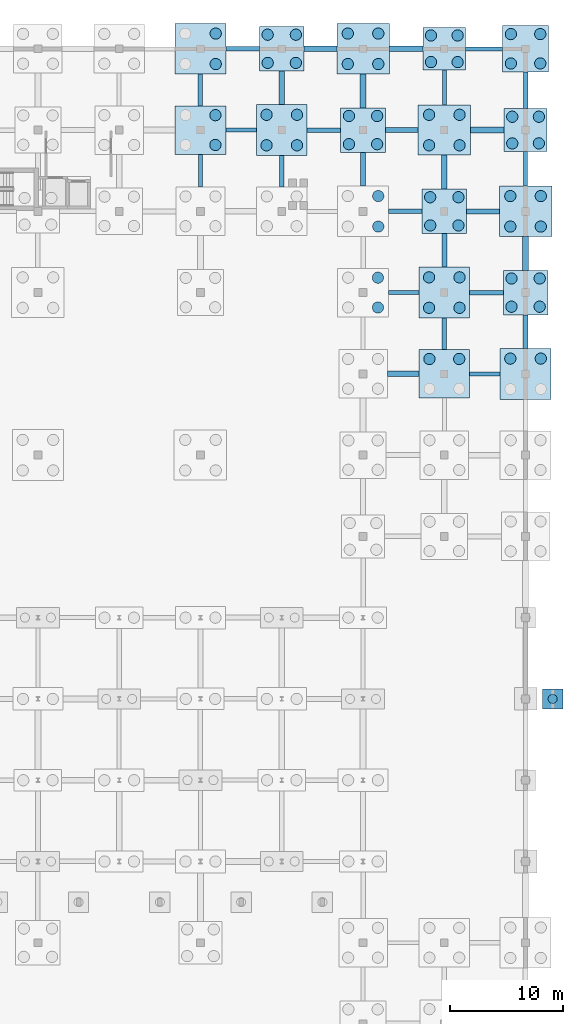
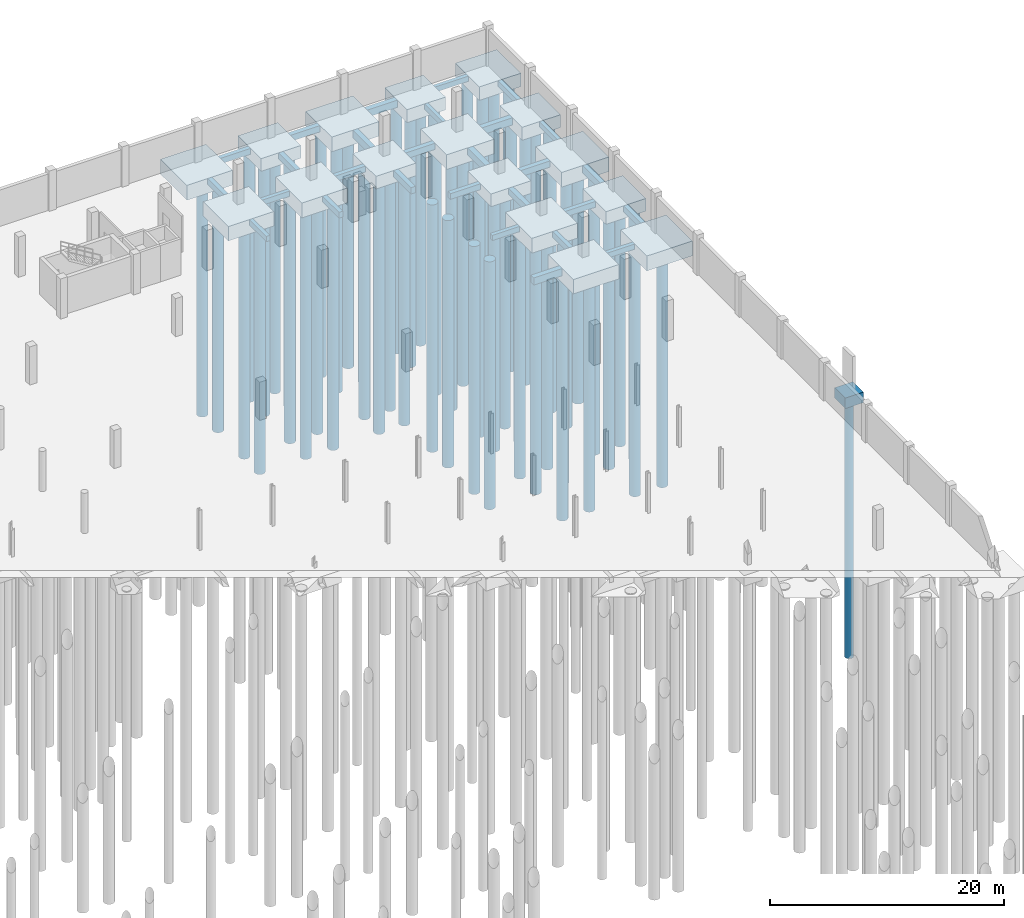
# One storey, part 18 of 56: 61 piles, 45 footings.
"""IFC4 building model written with IfcOpenShell, lengths in metres."""

from ifc_helpers import new_model, si_unit, direction, frame, origin, origin_2d, place, context, subcontext, project, spatial, rectangle, circle, extrude, material, material_profile, profile_set, type_object, element, save


model = new_model("IFC4")

# Units and contexts
model_context = context("Model", 3, precision=1e-05, world=origin(), true_north=direction((0.0, 1.0)))
body_context = subcontext(model_context, "Body", "Model", "MODEL_VIEW")
ifc_project = project(units=[si_unit("LENGTHUNIT", "METRE"), si_unit("AREAUNIT", "SQUARE_METRE"), si_unit("VOLUMEUNIT", "CUBIC_METRE"), si_unit("PLANEANGLEUNIT", "RADIAN"), si_unit("MASSUNIT", "GRAM", prefix="KILO")], contexts=[model_context])

# Site, building, storey
site_placement = place(None, origin())
site = spatial("IfcSite", under=ifc_project, at=site_placement, CompositionType="ELEMENT")
building_placement = place(site_placement, origin())
building = spatial("IfcBuilding", under=site, at=building_placement, Name="Suanplinth Sawtooth Commons", CompositionType="ELEMENT")
storey_placement = place(building_placement, frame((0.0, 0.0, -4.199951171875)))
storey = spatial("IfcBuildingStorey", under=building, at=storey_placement, Name="B1", CompositionType="ELEMENT", Elevation=-4.199951171875)

# Footings
ifc_material_1 = material(Name="Concrete C35/45", Category="concrete")
ifc_material_profile_1 = material_profile(ifc_material_1, rectangle(XDim=0.449951171875, YDim=0.64990234375, at=origin_2d()), Name="PC-GDR 450x650")
ifc_profile_set_1 = profile_set([ifc_material_profile_1], Name="Concrete C35/45")
footing_type_1 = type_object("IfcFootingType", Name="FB-01", PredefinedType="FOOTING_BEAM", material=ifc_profile_set_1)
footing_1_placement = place(storey_placement, frame((165.60009765625, 117.449951171875, -0.824951171875), z_axis=(0.0, 1.0, 0.0), x_axis=(-1.0, 0.0, 0.0)))
element("IfcFooting", 1, at=footing_1_placement, inside=storey, type_object=footing_type_1, Name="Foundation Tie Beam 24/S-T", PredefinedType="FOOTING_BEAM", context=body_context, shape_type="SweptSolid", body=[
    extrude(rectangle(XDim=0.449951171875, YDim=0.64990234375, at=origin_2d()), origin(), (0.0, 0.0, 1.0), 2.97509765625),
])
footing_2_placement = place(storey_placement, frame((167.574951171875, 122.39990234375, -0.824951171875), z_axis=(1.0, 0.0, 0.0), x_axis=(0.0, 1.0, 0.0)))
element("IfcFooting", 2, at=footing_2_placement, inside=storey, type_object=footing_type_1, Name="Foundation Tie Beam 24-25/T", PredefinedType="FOOTING_BEAM", context=body_context, shape_type="SweptSolid", body=[
    extrude(rectangle(XDim=0.449951171875, YDim=0.64990234375, at=origin_2d()), origin(), (0.0, 0.0, 1.0), 2.900146484375),
])
footing_3_placement = place(storey_placement, frame((172.800048828125, 110.25, -0.824951171875), z_axis=(0.0, 1.0, 0.0), x_axis=(-1.0, 0.0, 0.0)))
element("IfcFooting", 3, at=footing_3_placement, inside=storey, type_object=footing_type_1, Name="Foundation Tie Beam 25/R-S", PredefinedType="FOOTING_BEAM", context=body_context, shape_type="SweptSolid", body=[
    extrude(rectangle(XDim=0.449951171875, YDim=0.64990234375, at=origin_2d()), origin(), (0.0, 0.0, 1.0), 2.97509765625),
])
footing_4_placement = place(storey_placement, frame((174.77490234375, 115.199951171875, -0.824951171875), z_axis=(1.0, 0.0, 0.0), x_axis=(0.0, 1.0, 0.0)))
element("IfcFooting", 4, at=footing_4_placement, inside=storey, type_object=footing_type_1, Name="Foundation Tie Beam 25-26/S", PredefinedType="FOOTING_BEAM", context=body_context, shape_type="SweptSolid", body=[
    extrude(rectangle(XDim=0.449951171875, YDim=0.64990234375, at=origin_2d()), origin(), (0.0, 0.0, 1.0), 2.900146484375),
])
footing_5_placement = place(storey_placement, frame((180.0, 103.050048828125, -0.824951171875), z_axis=(0.0, 1.0, 0.0), x_axis=(-1.0, 0.0, 0.0)))
element("IfcFooting", 5, at=footing_5_placement, inside=storey, type_object=footing_type_1, Name="Foundation Tie Beam 26/Q-R", PredefinedType="FOOTING_BEAM", context=body_context, shape_type="SweptSolid", body=[
    extrude(rectangle(XDim=0.449951171875, YDim=0.64990234375, at=origin_2d()), origin(), (0.0, 0.0, 1.0), 2.974853515625),
])
footing_6_placement = place(storey_placement, frame((181.97509765625, 108.0, -0.824951171875), z_axis=(1.0, 0.0, 0.0), x_axis=(0.0, 1.0, 0.0)))
element("IfcFooting", 6, at=footing_6_placement, inside=storey, type_object=footing_type_1, Name="Foundation Tie Beam 26-27/R", PredefinedType="FOOTING_BEAM", context=body_context, shape_type="SweptSolid", body=[
    extrude(rectangle(XDim=0.449951171875, YDim=0.64990234375, at=origin_2d()), origin(), (0.0, 0.0, 1.0), 2.89990234375),
])
footing_7_placement = place(storey_placement, frame((187.199951171875, 95.85009765625, -0.824951171875), z_axis=(0.0, 1.0, 0.0), x_axis=(-1.0, 0.0, 0.0)))
element("IfcFooting", 7, at=footing_7_placement, inside=storey, type_object=footing_type_1, Name="Foundation Tie Beam 27/P-Q", PredefinedType="FOOTING_BEAM", context=body_context, shape_type="SweptSolid", body=[
    extrude(rectangle(XDim=0.449951171875, YDim=0.64990234375, at=origin_2d()), origin(), (0.0, 0.0, 1.0), 2.974853515625),
])
ifc_material_profile_2 = material_profile(ifc_material_1, rectangle(XDim=0.5, YDim=0.75, at=origin_2d()), Name="RC-GDR 500x750")
ifc_profile_set_2 = profile_set([ifc_material_profile_2], Name="Concrete C35/45")
footing_type_2 = type_object("IfcFootingType", Name="FB-02", PredefinedType="FOOTING_BEAM", material=ifc_profile_set_2)
footing_8_placement = place(storey_placement, frame((174.949951171875, 93.60009765625, -0.875), z_axis=(1.0, 0.0, 0.0), x_axis=(0.0, 1.0, 0.0)))
element("IfcFooting", 8, at=footing_8_placement, inside=storey, type_object=footing_type_2, Name="Foundation Tie Beam 25-26/P", PredefinedType="FOOTING_BEAM", context=body_context, shape_type="SweptSolid", body=[
    extrude(rectangle(XDim=0.5, YDim=0.75, at=origin_2d()), origin(), (0.0, 0.0, 1.0), 2.800048828125),
])
footing_9_placement = place(storey_placement, frame((172.800048828125, 117.175048828125, -0.875), z_axis=(0.0, 1.0, 0.0), x_axis=(-1.0, 0.0, 0.0)))
element("IfcFooting", 9, at=footing_9_placement, inside=storey, type_object=footing_type_2, Name="Foundation Tie Beam 25/S-T", PredefinedType="FOOTING_BEAM", context=body_context, shape_type="SweptSolid", body=[
    extrude(rectangle(XDim=0.5, YDim=0.75, at=origin_2d()), origin(), (0.0, 0.0, 1.0), 3.0),
])
footing_10_placement = place(storey_placement, frame((175.125, 122.39990234375, -0.875), z_axis=(1.0, 0.0, 0.0), x_axis=(0.0, 1.0, 0.0)))
element("IfcFooting", 10, at=footing_10_placement, inside=storey, type_object=footing_type_2, Name="Foundation Tie Beam 25-26/T", PredefinedType="FOOTING_BEAM", context=body_context, shape_type="SweptSolid", body=[
    extrude(rectangle(XDim=0.5, YDim=0.75, at=origin_2d()), origin(), (0.0, 0.0, 1.0), 2.97509765625),
])
footing_11_placement = place(storey_placement, frame((180.0, 109.97509765625, -0.875), z_axis=(0.0, 1.0, 0.0), x_axis=(-1.0, 0.0, 0.0)))
element("IfcFooting", 11, at=footing_11_placement, inside=storey, type_object=footing_type_2, Name="Foundation Tie Beam 26/R-S", PredefinedType="FOOTING_BEAM", context=body_context, shape_type="SweptSolid", body=[
    extrude(rectangle(XDim=0.5, YDim=0.75, at=origin_2d()), origin(), (0.0, 0.0, 1.0), 3.0),
])
footing_12_placement = place(storey_placement, frame((182.324951171875, 115.199951171875, -0.875), z_axis=(1.0, 0.0, 0.0), x_axis=(0.0, 1.0, 0.0)))
element("IfcFooting", 12, at=footing_12_placement, inside=storey, type_object=footing_type_2, Name="Foundation Tie Beam 26-27/S", PredefinedType="FOOTING_BEAM", context=body_context, shape_type="SweptSolid", body=[
    extrude(rectangle(XDim=0.5, YDim=0.75, at=origin_2d()), origin(), (0.0, 0.0, 1.0), 2.97509765625),
])
footing_13_placement = place(storey_placement, frame((187.199951171875, 102.77490234375, -0.875), z_axis=(0.0, 1.0, 0.0), x_axis=(-1.0, 0.0, 0.0)))
element("IfcFooting", 13, at=footing_13_placement, inside=storey, type_object=footing_type_2, Name="Foundation Tie Beam 27/Q-R", PredefinedType="FOOTING_BEAM", context=body_context, shape_type="SweptSolid", body=[
    extrude(rectangle(XDim=0.5, YDim=0.75, at=origin_2d()), origin(), (0.0, 0.0, 1.0), 3.0),
])
ifc_material_profile_3 = material_profile(ifc_material_1, rectangle(XDim=0.35009765625, YDim=0.550048828125, at=origin_2d()), Name="PC-BM 350x550")
ifc_profile_set_3 = profile_set([ifc_material_profile_3], Name="Concrete C35/45")
footing_type_3 = type_object("IfcFootingType", Name="FB-03", PredefinedType="FOOTING_BEAM", material=ifc_profile_set_3)
footing_14_placement = place(storey_placement, frame((158.39990234375, 110.14990234375, -0.775146484375), z_axis=(0.0, 1.0, 0.0), x_axis=(-1.0, 0.0, 0.0)))
element("IfcFooting", 14, at=footing_14_placement, inside=storey, type_object=footing_type_3, Name="Foundation Tie Beam 23/R-S", PredefinedType="FOOTING_BEAM", context=body_context, shape_type="SweptSolid", body=[
    extrude(rectangle(XDim=0.35009765625, YDim=0.550048828125, at=origin_2d()), origin(), (0.0, 0.0, 1.0), 2.900146484375),
])
footing_15_placement = place(storey_placement, frame((160.64990234375, 115.199951171875, -0.775146484375), z_axis=(1.0, 0.0, 0.0), x_axis=(0.0, 1.0, 0.0)))
element("IfcFooting", 15, at=footing_15_placement, inside=storey, type_object=footing_type_3, Name="Foundation Tie Beam 23-24/S", PredefinedType="FOOTING_BEAM", context=body_context, shape_type="SweptSolid", body=[
    extrude(rectangle(XDim=0.35009765625, YDim=0.550048828125, at=origin_2d()), origin(), (0.0, 0.0, 1.0), 2.7001953125),
])
for number, where, z_axis, x_axis, name in (
    (16, (175.050048828125, 100.800048828125, -0.775146484375), (1.0, 0.0, 0.0), (0.0, 1.0, 0.0), "Foundation Tie Beam 25-26/Q"),
    (17, (182.25, 93.60009765625, -0.775146484375), (1.0, 0.0, 0.0), (0.0, 1.0, 0.0), "Foundation Tie Beam 26-27/P"),
):
    element("IfcFooting", number, at=place(storey_placement, frame(where, z_axis=z_axis, x_axis=x_axis)), inside=storey, type_object=footing_type_3, Name=name, PredefinedType="FOOTING_BEAM", context=body_context, shape_type="SweptSolid", body=[
        extrude(rectangle(XDim=0.35009765625, YDim=0.550048828125, at=origin_2d()), origin(), (0.0, 0.0, 1.0), 2.699951171875),
    ])
footing_16_placement = place(storey_placement, frame((180.0, 117.425048828125, -0.775146484375), z_axis=(0.0, 1.0, 0.0), x_axis=(-1.0, 0.0, 0.0)))
element("IfcFooting", 18, at=footing_16_placement, inside=storey, type_object=footing_type_3, Name="Foundation Tie Beam 26/S-T", PredefinedType="FOOTING_BEAM", context=body_context, shape_type="SweptSolid", body=[
    extrude(rectangle(XDim=0.35009765625, YDim=0.550048828125, at=origin_2d()), origin(), (0.0, 0.0, 1.0), 3.074951171875),
])
footing_17_placement = place(storey_placement, frame((181.89990234375, 122.39990234375, -0.775146484375), z_axis=(1.0, 0.0, 0.0), x_axis=(0.0, 1.0, 0.0)))
element("IfcFooting", 19, at=footing_17_placement, inside=storey, type_object=footing_type_3, Name="Foundation Tie Beam 26-27/T", PredefinedType="FOOTING_BEAM", context=body_context, shape_type="SweptSolid", body=[
    extrude(rectangle(XDim=0.35009765625, YDim=0.550048828125, at=origin_2d()), origin(), (0.0, 0.0, 1.0), 3.25),
])
footing_18_placement = place(storey_placement, frame((187.199951171875, 110.22509765625, -0.775146484375), z_axis=(0.0, 1.0, 0.0), x_axis=(-1.0, 0.0, 0.0)))
element("IfcFooting", 20, at=footing_18_placement, inside=storey, type_object=footing_type_3, Name="Foundation Tie Beam 27/R-S", PredefinedType="FOOTING_BEAM", context=body_context, shape_type="SweptSolid", body=[
    extrude(rectangle(XDim=0.35009765625, YDim=0.550048828125, at=origin_2d()), origin(), (0.0, 0.0, 1.0), 3.074951171875),
])
ifc_material_profile_4 = material_profile(ifc_material_1, rectangle(XDim=0.39990234375, YDim=0.60009765625, at=origin_2d()), Name="PC-GDR 400x600")
ifc_profile_set_4 = profile_set([ifc_material_profile_4], Name="Concrete C35/45")
footing_type_4 = type_object("IfcFootingType", Name="FB-04", PredefinedType="FOOTING_BEAM", material=ifc_profile_set_4)
footing_19_placement = place(storey_placement, frame((158.39990234375, 117.35009765625, -0.800048828125), z_axis=(0.0, 1.0, 0.0), x_axis=(-1.0, 0.0, 0.0)))
element("IfcFooting", 21, at=footing_19_placement, inside=storey, type_object=footing_type_4, Name="Foundation Tie Beam 23/S-T", PredefinedType="FOOTING_BEAM", context=body_context, shape_type="SweptSolid", body=[
    extrude(rectangle(XDim=0.39990234375, YDim=0.60009765625, at=origin_2d()), origin(), (0.0, 0.0, 1.0), 2.7998046875),
])
footing_20_placement = place(storey_placement, frame((160.64990234375, 122.39990234375, -0.800048828125), z_axis=(1.0, 0.0, 0.0), x_axis=(0.0, 1.0, 0.0)))
element("IfcFooting", 22, at=footing_20_placement, inside=storey, type_object=footing_type_4, Name="Foundation Tie Beam 23-24/T", PredefinedType="FOOTING_BEAM", context=body_context, shape_type="SweptSolid", body=[
    extrude(rectangle(XDim=0.39990234375, YDim=0.60009765625, at=origin_2d()), origin(), (0.0, 0.0, 1.0), 2.97509765625),
])
footing_21_placement = place(storey_placement, frame((165.60009765625, 110.14990234375, -0.800048828125), z_axis=(0.0, 1.0, 0.0), x_axis=(-1.0, 0.0, 0.0)))
element("IfcFooting", 23, at=footing_21_placement, inside=storey, type_object=footing_type_4, Name="Foundation Tie Beam 24/R-S", PredefinedType="FOOTING_BEAM", context=body_context, shape_type="SweptSolid", body=[
    extrude(rectangle(XDim=0.39990234375, YDim=0.60009765625, at=origin_2d()), origin(), (0.0, 0.0, 1.0), 2.800048828125),
])
for number, where, z_axis, x_axis, name in (
    (24, (167.85009765625, 115.199951171875, -0.800048828125), (1.0, 0.0, 0.0), (0.0, 1.0, 0.0), "Foundation Tie Beam 24-25/S"),
    (25, (175.050048828125, 108.0, -0.800048828125), (1.0, 0.0, 0.0), (0.0, 1.0, 0.0), "Foundation Tie Beam 25-26/R"),
):
    element("IfcFooting", number, at=place(storey_placement, frame(where, z_axis=z_axis, x_axis=x_axis)), inside=storey, type_object=footing_type_4, Name=name, PredefinedType="FOOTING_BEAM", context=body_context, shape_type="SweptSolid", body=[
        extrude(rectangle(XDim=0.39990234375, YDim=0.60009765625, at=origin_2d()), origin(), (0.0, 0.0, 1.0), 2.974853515625),
    ])
footing_22_placement = place(storey_placement, frame((180.0, 95.75, -0.800048828125), z_axis=(0.0, 1.0, 0.0), x_axis=(-1.0, 0.0, 0.0)))
element("IfcFooting", 26, at=footing_22_placement, inside=storey, type_object=footing_type_4, Name="Foundation Tie Beam 26/P-Q", PredefinedType="FOOTING_BEAM", context=body_context, shape_type="SweptSolid", body=[
    extrude(rectangle(XDim=0.39990234375, YDim=0.60009765625, at=origin_2d()), origin(), (0.0, 0.0, 1.0), 2.800048828125),
])
footing_23_placement = place(storey_placement, frame((182.25, 100.800048828125, -0.800048828125), z_axis=(1.0, 0.0, 0.0), x_axis=(0.0, 1.0, 0.0)))
element("IfcFooting", 27, at=footing_23_placement, inside=storey, type_object=footing_type_4, Name="Foundation Tie Beam 26-27/Q", PredefinedType="FOOTING_BEAM", context=body_context, shape_type="SweptSolid", body=[
    extrude(rectangle(XDim=0.39990234375, YDim=0.60009765625, at=origin_2d()), origin(), (0.0, 0.0, 1.0), 2.97509765625),
])
footing_24_placement = place(storey_placement, frame((187.199951171875, 117.10009765625, -0.800048828125), z_axis=(0.0, 1.0, 0.0), x_axis=(-1.0, 0.0, 0.0)))
element("IfcFooting", 28, at=footing_24_placement, inside=storey, type_object=footing_type_4, Name="Foundation Tie Beam 27/S-T", PredefinedType="FOOTING_BEAM", context=body_context, shape_type="SweptSolid", body=[
    extrude(rectangle(XDim=0.39990234375, YDim=0.60009765625, at=origin_2d()), origin(), (0.0, 0.0, 1.0), 3.25),
])
footing_type_5 = type_object("IfcFootingType", Name="FC-01", PredefinedType="PILE_CAP", material=ifc_material_1)
footing_25_placement = place(storey_placement, frame((189.60009765625, 64.800048828125, -1.10009765625), z_axis=(0.0, 0.0, 1.0), x_axis=(1.0, 0.0, 0.0)))
element("IfcFooting", 29, at=footing_25_placement, inside=storey, type_object=footing_type_5, Name="Threshold Ramp Toe Cap AR-04", PredefinedType="PILE_CAP", context=body_context, shape_type="SweptSolid", body=[
    extrude(rectangle(XDim=1.800048828125, YDim=1.800048828125, at=origin_2d()), origin(), (0.0, 0.0, 1.0), 1.10009765625),
])
footing_type_6 = type_object("IfcFootingType", Name="FC-06", PredefinedType="PILE_CAP", material=ifc_material_1)
for number, where, z_axis, x_axis, name in (
    (30, (180.0, 122.39990234375, -1.85009765625), (0.0, 0.0, 1.0), (1.0, 0.0, 0.0), "Pile Cap 26/T"),
    (31, (187.199951171875, 115.199951171875, -1.85009765625), (0.0, 0.0, 1.0), (1.0, 0.0, 0.0), "Pile Cap 27/S"),
):
    element("IfcFooting", number, at=place(storey_placement, frame(where, z_axis=z_axis, x_axis=x_axis)), inside=storey, type_object=footing_type_6, Name=name, PredefinedType="PILE_CAP", context=body_context, shape_type="SweptSolid", body=[
        extrude(rectangle(XDim=3.800048828125, YDim=3.800048828125, at=origin_2d()), origin(), (0.0, 0.0, 1.0), 1.35009765625),
    ])
footing_type_7 = type_object("IfcFootingType", Name="FC-07", PredefinedType="PILE_CAP", material=ifc_material_1)
footing_26_placement = place(storey_placement, frame((187.199951171875, 122.39990234375, -1.89990234375), z_axis=(0.0, 0.0, 1.0), x_axis=(1.0, 0.0, 0.0)))
element("IfcFooting", 32, at=footing_26_placement, inside=storey, type_object=footing_type_7, Name="Pile Cap 27/T", PredefinedType="PILE_CAP", context=body_context, shape_type="SweptSolid", body=[
    extrude(rectangle(XDim=4.10009765625, YDim=4.10009765625, at=origin_2d()), origin(), (0.0, 0.0, 1.0), 1.39990234375),
])
footing_type_8 = type_object("IfcFootingType", Name="FC-09", PredefinedType="PILE_CAP", material=ifc_material_1)
for number, where, z_axis, x_axis, name in (
    (33, (158.39990234375, 115.199951171875, -2.0), (0.0, 0.0, 1.0), (1.0, 0.0, 0.0), "Pile Cap 23/S"),
    (34, (180.0, 93.60009765625, -2.0), (0.0, 0.0, 1.0), (1.0, 0.0, 0.0), "Pile Cap 26/P"),
):
    element("IfcFooting", number, at=place(storey_placement, frame(where, z_axis=z_axis, x_axis=x_axis)), inside=storey, type_object=footing_type_8, Name=name, PredefinedType="PILE_CAP", context=body_context, shape_type="SweptSolid", body=[
        extrude(rectangle(XDim=4.5, YDim=4.300048828125, at=origin_2d()), origin(), (0.0, 0.0, 1.0), 1.5),
    ])
footing_type_9 = type_object("IfcFootingType", Name="FC-10", PredefinedType="PILE_CAP", material=ifc_material_1)
for number, where, z_axis, x_axis, name in (
    (35, (158.39990234375, 122.39990234375, -2.05029296875), (0.0, 0.0, 1.0), (1.0, 0.0, 0.0), "Pile Cap 23/T"),
    (36, (165.60009765625, 115.199951171875, -2.05029296875), (0.0, 0.0, 1.0), (1.0, 0.0, 0.0), "Pile Cap 24/S"),
    (37, (180.0, 100.800048828125, -2.05029296875), (0.0, 0.0, 1.0), (1.0, 0.0, 0.0), "Pile Cap 26/Q"),
    (38, (187.199951171875, 93.60009765625, -2.05029296875), (0.0, 0.0, 1.0), (1.0, 0.0, 0.0), "Pile Cap 27/P"),
):
    element("IfcFooting", number, at=place(storey_placement, frame(where, z_axis=z_axis, x_axis=x_axis)), inside=storey, type_object=footing_type_9, Name=name, PredefinedType="PILE_CAP", context=body_context, shape_type="SweptSolid", body=[
        extrude(rectangle(XDim=4.5, YDim=4.5, at=origin_2d()), origin(), (0.0, 0.0, 1.0), 1.550048828125),
    ])
footing_type_10 = type_object("IfcFootingType", Name="FC-15", PredefinedType="PILE_CAP", material=ifc_material_1)
for number, where, z_axis, x_axis, name in (
    (39, (165.60009765625, 122.39990234375, -1.8203125), (0.0, 0.0, 1.0), (1.0, 0.0, 0.0), "Pile Cap 24/T"),
    (40, (172.800048828125, 115.199951171875, -1.8203125), (0.0, 0.0, 1.0), (1.0, 0.0, 0.0), "Pile Cap 25/S"),
    (41, (180.0, 108.0, -1.8203125), (0.0, 0.0, 1.0), (1.0, 0.0, 0.0), "Pile Cap 26/R"),
    (42, (187.199951171875, 100.800048828125, -1.8203125), (0.0, 0.0, 1.0), (1.0, 0.0, 0.0), "Pile Cap 27/Q"),
):
    element("IfcFooting", number, at=place(storey_placement, frame(where, z_axis=z_axis, x_axis=x_axis)), inside=storey, type_object=footing_type_10, Name=name, PredefinedType="PILE_CAP", context=body_context, shape_type="SweptSolid", body=[
        extrude(rectangle(XDim=3.949951171875, YDim=3.949951171875, at=origin_2d()), origin(), (0.0, 0.0, 1.0), 1.320068359375),
    ])
footing_type_11 = type_object("IfcFootingType", Name="FC-16", PredefinedType="PILE_CAP", material=ifc_material_1)
for number, where, z_axis, x_axis, name in (
    (43, (172.800048828125, 122.39990234375, -2.02001953125), (0.0, 0.0, 1.0), (1.0, 0.0, 0.0), "Pile Cap 25/T"),
    (44, (180.0, 115.199951171875, -2.02001953125), (0.0, 0.0, 1.0), (1.0, 0.0, 0.0), "Pile Cap 26/S"),
    (45, (187.199951171875, 108.0, -2.02001953125), (0.0, 0.0, 1.0), (1.0, 0.0, 0.0), "Pile Cap 27/R"),
):
    element("IfcFooting", number, at=place(storey_placement, frame(where, z_axis=z_axis, x_axis=x_axis)), inside=storey, type_object=footing_type_11, Name=name, PredefinedType="PILE_CAP", context=body_context, shape_type="SweptSolid", body=[
        extrude(rectangle(XDim=4.64990234375, YDim=4.449951171875, at=origin_2d()), origin(), (0.0, 0.0, 1.0), 1.52001953125),
    ])

# Piles
ifc_material_2 = material(Name="Concrete C32/40", Category="concrete")
ifc_material_profile_5 = material_profile(ifc_material_2, circle(Radius=0.39990234375, at=origin_2d()), Name="PILE D800")
ifc_profile_set_5 = profile_set([ifc_material_profile_5], Name="Concrete C32/40")
pile_type_1 = type_object("IfcPileType", Name="P-01", PredefinedType="BORED", material=ifc_profile_set_5)
pile_placement = place(storey_placement, frame((189.60009765625, 64.800048828125, -1.0), z_axis=(0.0, 0.0, -1.0), x_axis=(1.0, 0.0, 0.0)))
element("IfcPile", 46, at=pile_placement, inside=storey, type_object=pile_type_1, Name="Threshold Ramp Toe Pile AR-04", PredefinedType="BORED", context=body_context, shape_type="SweptSolid", body=[
    extrude(circle(Radius=0.39990234375, at=origin_2d()), origin(), (0.0, 0.0, 1.0), 26.800048828125),
])
ifc_material_profile_6 = material_profile(ifc_material_2, circle(Radius=0.5, at=origin_2d()), Name="PILE D1000")
ifc_profile_set_6 = profile_set([ifc_material_profile_6], Name="Concrete C32/40")
pile_type_2 = type_object("IfcPileType", Name="P-02", PredefinedType="BORED", material=ifc_profile_set_6)
for number, where, z_axis, x_axis, name in (
    (47, (159.719970703125, 113.8798828125, -1.900146484375), (0.0, 0.0, -1.0), (1.0, 0.0, 0.0), "Bored Pile 23/S-2"),
    (48, (159.719970703125, 116.52001953125, -1.900146484375), (0.0, 0.0, -1.0), (1.0, 0.0, 0.0), "Bored Pile 23/S-4"),
):
    element("IfcPile", number, at=place(storey_placement, frame(where, z_axis=z_axis, x_axis=x_axis)), inside=storey, type_object=pile_type_2, Name=name, PredefinedType="BORED", context=body_context, shape_type="SweptSolid", body=[
        extrude(circle(Radius=0.5, at=origin_2d()), origin(), (0.0, 0.0, 1.0), 25.89990234375),
    ])
for number, where, z_axis, x_axis, name in (
    (49, (159.75, 121.050048828125, -1.949951171875), (0.0, 0.0, -1.0), (1.0, 0.0, 0.0), "Bored Pile 23/T-2"),
    (50, (159.75, 123.75, -1.949951171875), (0.0, 0.0, -1.0), (1.0, 0.0, 0.0), "Bored Pile 23/T-4"),
    (51, (164.25, 113.85009765625, -1.949951171875), (0.0, 0.0, -1.0), (1.0, 0.0, 0.0), "Bored Pile 24/S-1"),
    (52, (166.949951171875, 113.85009765625, -1.949951171875), (0.0, 0.0, -1.0), (1.0, 0.0, 0.0), "Bored Pile 24/S-2"),
    (53, (164.25, 116.550048828125, -1.949951171875), (0.0, 0.0, -1.0), (1.0, 0.0, 0.0), "Bored Pile 24/S-3"),
    (54, (166.949951171875, 116.550048828125, -1.949951171875), (0.0, 0.0, -1.0), (1.0, 0.0, 0.0), "Bored Pile 24/S-4"),
):
    element("IfcPile", number, at=place(storey_placement, frame(where, z_axis=z_axis, x_axis=x_axis)), inside=storey, type_object=pile_type_2, Name=name, PredefinedType="BORED", context=body_context, shape_type="SweptSolid", body=[
        extrude(circle(Radius=0.5, at=origin_2d()), origin(), (0.0, 0.0, 1.0), 25.85009765625),
    ])
for number, where, z_axis, x_axis, name in (
    (55, (164.35009765625, 121.14990234375, -1.719970703125), (0.0, 0.0, -1.0), (1.0, 0.0, 0.0), "Bored Pile 24/T-1"),
    (56, (166.85009765625, 121.14990234375, -1.719970703125), (0.0, 0.0, -1.0), (1.0, 0.0, 0.0), "Bored Pile 24/T-2"),
    (57, (164.35009765625, 123.64990234375, -1.719970703125), (0.0, 0.0, -1.0), (1.0, 0.0, 0.0), "Bored Pile 24/T-3"),
    (58, (166.85009765625, 123.64990234375, -1.719970703125), (0.0, 0.0, -1.0), (1.0, 0.0, 0.0), "Bored Pile 24/T-4"),
):
    element("IfcPile", number, at=place(storey_placement, frame(where, z_axis=z_axis, x_axis=x_axis)), inside=storey, type_object=pile_type_2, Name=name, PredefinedType="BORED", context=body_context, shape_type="SweptSolid", body=[
        extrude(circle(Radius=0.5, at=origin_2d()), origin(), (0.0, 0.0, 1.0), 26.080078125),
    ])
for number, where, z_axis, x_axis, name in (
    (59, (174.1201171875, 99.47998046875, -1.900146484375), (0.0, 0.0, -1.0), (1.0, 0.0, 0.0), "Bored Pile 25/Q-2"),
    (60, (174.1201171875, 102.1201171875, -1.900146484375), (0.0, 0.0, -1.0), (1.0, 0.0, 0.0), "Bored Pile 25/Q-4"),
):
    element("IfcPile", number, at=place(storey_placement, frame(where, z_axis=z_axis, x_axis=x_axis)), inside=storey, type_object=pile_type_2, Name=name, PredefinedType="BORED", context=body_context, shape_type="SweptSolid", body=[
        extrude(circle(Radius=0.5, at=origin_2d()), origin(), (0.0, 0.0, 1.0), 25.89990234375),
    ])
for number, where, z_axis, x_axis, name in (
    (61, (174.14990234375, 106.64990234375, -1.949951171875), (0.0, 0.0, -1.0), (1.0, 0.0, 0.0), "Bored Pile 25/R-2"),
    (62, (174.14990234375, 109.35009765625, -1.949951171875), (0.0, 0.0, -1.0), (1.0, 0.0, 0.0), "Bored Pile 25/R-4"),
):
    element("IfcPile", number, at=place(storey_placement, frame(where, z_axis=z_axis, x_axis=x_axis)), inside=storey, type_object=pile_type_2, Name=name, PredefinedType="BORED", context=body_context, shape_type="SweptSolid", body=[
        extrude(circle(Radius=0.5, at=origin_2d()), origin(), (0.0, 0.0, 1.0), 25.85009765625),
    ])
for number, where, z_axis, x_axis, name in (
    (63, (171.550048828125, 113.949951171875, -1.719970703125), (0.0, 0.0, -1.0), (1.0, 0.0, 0.0), "Bored Pile 25/S-1"),
    (64, (174.050048828125, 113.949951171875, -1.719970703125), (0.0, 0.0, -1.0), (1.0, 0.0, 0.0), "Bored Pile 25/S-2"),
    (65, (171.550048828125, 116.449951171875, -1.719970703125), (0.0, 0.0, -1.0), (1.0, 0.0, 0.0), "Bored Pile 25/S-3"),
    (66, (174.050048828125, 116.449951171875, -1.719970703125), (0.0, 0.0, -1.0), (1.0, 0.0, 0.0), "Bored Pile 25/S-4"),
):
    element("IfcPile", number, at=place(storey_placement, frame(where, z_axis=z_axis, x_axis=x_axis)), inside=storey, type_object=pile_type_2, Name=name, PredefinedType="BORED", context=body_context, shape_type="SweptSolid", body=[
        extrude(circle(Radius=0.5, at=origin_2d()), origin(), (0.0, 0.0, 1.0), 26.080078125),
    ])
for number, where, z_axis, x_axis, name in (
    (67, (171.449951171875, 121.050048828125, -1.920166015625), (0.0, 0.0, -1.0), (1.0, 0.0, 0.0), "Bored Pile 25/T-1"),
    (68, (174.14990234375, 121.050048828125, -1.920166015625), (0.0, 0.0, -1.0), (1.0, 0.0, 0.0), "Bored Pile 25/T-2"),
    (69, (171.449951171875, 123.75, -1.920166015625), (0.0, 0.0, -1.0), (1.0, 0.0, 0.0), "Bored Pile 25/T-3"),
    (70, (174.14990234375, 123.75, -1.920166015625), (0.0, 0.0, -1.0), (1.0, 0.0, 0.0), "Bored Pile 25/T-4"),
):
    element("IfcPile", number, at=place(storey_placement, frame(where, z_axis=z_axis, x_axis=x_axis)), inside=storey, type_object=pile_type_2, Name=name, PredefinedType="BORED", context=body_context, shape_type="SweptSolid", body=[
        extrude(circle(Radius=0.5, at=origin_2d()), origin(), (0.0, 0.0, 1.0), 25.8798828125),
    ])
for number, where, z_axis, x_axis, name in (
    (71, (178.679931640625, 94.919921875, -1.900146484375), (0.0, 0.0, -1.0), (1.0, 0.0, 0.0), "Bored Pile 26/P-3"),
    (72, (181.320068359375, 94.919921875, -1.900146484375), (0.0, 0.0, -1.0), (1.0, 0.0, 0.0), "Bored Pile 26/P-4"),
):
    element("IfcPile", number, at=place(storey_placement, frame(where, z_axis=z_axis, x_axis=x_axis)), inside=storey, type_object=pile_type_2, Name=name, PredefinedType="BORED", context=body_context, shape_type="SweptSolid", body=[
        extrude(circle(Radius=0.5, at=origin_2d()), origin(), (0.0, 0.0, 1.0), 25.89990234375),
    ])
for number, where, z_axis, x_axis, name in (
    (73, (178.64990234375, 99.449951171875, -1.949951171875), (0.0, 0.0, -1.0), (1.0, 0.0, 0.0), "Bored Pile 26/Q-1"),
    (74, (181.35009765625, 99.449951171875, -1.949951171875), (0.0, 0.0, -1.0), (1.0, 0.0, 0.0), "Bored Pile 26/Q-2"),
    (75, (178.64990234375, 102.14990234375, -1.949951171875), (0.0, 0.0, -1.0), (1.0, 0.0, 0.0), "Bored Pile 26/Q-3"),
    (76, (181.35009765625, 102.14990234375, -1.949951171875), (0.0, 0.0, -1.0), (1.0, 0.0, 0.0), "Bored Pile 26/Q-4"),
):
    element("IfcPile", number, at=place(storey_placement, frame(where, z_axis=z_axis, x_axis=x_axis)), inside=storey, type_object=pile_type_2, Name=name, PredefinedType="BORED", context=body_context, shape_type="SweptSolid", body=[
        extrude(circle(Radius=0.5, at=origin_2d()), origin(), (0.0, 0.0, 1.0), 25.85009765625),
    ])
for number, where, z_axis, x_axis, name in (
    (77, (178.75, 106.75, -1.719970703125), (0.0, 0.0, -1.0), (1.0, 0.0, 0.0), "Bored Pile 26/R-1"),
    (78, (181.25, 106.75, -1.719970703125), (0.0, 0.0, -1.0), (1.0, 0.0, 0.0), "Bored Pile 26/R-2"),
    (79, (178.75, 109.25, -1.719970703125), (0.0, 0.0, -1.0), (1.0, 0.0, 0.0), "Bored Pile 26/R-3"),
    (80, (181.25, 109.25, -1.719970703125), (0.0, 0.0, -1.0), (1.0, 0.0, 0.0), "Bored Pile 26/R-4"),
):
    element("IfcPile", number, at=place(storey_placement, frame(where, z_axis=z_axis, x_axis=x_axis)), inside=storey, type_object=pile_type_2, Name=name, PredefinedType="BORED", context=body_context, shape_type="SweptSolid", body=[
        extrude(circle(Radius=0.5, at=origin_2d()), origin(), (0.0, 0.0, 1.0), 26.080078125),
    ])
for number, where, z_axis, x_axis, name in (
    (81, (178.64990234375, 113.85009765625, -1.920166015625), (0.0, 0.0, -1.0), (1.0, 0.0, 0.0), "Bored Pile 26/S-1"),
    (82, (181.35009765625, 113.85009765625, -1.920166015625), (0.0, 0.0, -1.0), (1.0, 0.0, 0.0), "Bored Pile 26/S-2"),
    (83, (178.64990234375, 116.550048828125, -1.920166015625), (0.0, 0.0, -1.0), (1.0, 0.0, 0.0), "Bored Pile 26/S-3"),
    (84, (181.35009765625, 116.550048828125, -1.920166015625), (0.0, 0.0, -1.0), (1.0, 0.0, 0.0), "Bored Pile 26/S-4"),
):
    element("IfcPile", number, at=place(storey_placement, frame(where, z_axis=z_axis, x_axis=x_axis)), inside=storey, type_object=pile_type_2, Name=name, PredefinedType="BORED", context=body_context, shape_type="SweptSolid", body=[
        extrude(circle(Radius=0.5, at=origin_2d()), origin(), (0.0, 0.0, 1.0), 25.8798828125),
    ])
for number, where, z_axis, x_axis, name in (
    (85, (178.820068359375, 121.219970703125, -1.75), (0.0, 0.0, -1.0), (1.0, 0.0, 0.0), "Bored Pile 26/T-1"),
    (86, (181.179931640625, 121.219970703125, -1.75), (0.0, 0.0, -1.0), (1.0, 0.0, 0.0), "Bored Pile 26/T-2"),
    (87, (178.820068359375, 123.580078125, -1.75), (0.0, 0.0, -1.0), (1.0, 0.0, 0.0), "Bored Pile 26/T-3"),
    (88, (181.179931640625, 123.580078125, -1.75), (0.0, 0.0, -1.0), (1.0, 0.0, 0.0), "Bored Pile 26/T-4"),
):
    element("IfcPile", number, at=place(storey_placement, frame(where, z_axis=z_axis, x_axis=x_axis)), inside=storey, type_object=pile_type_2, Name=name, PredefinedType="BORED", context=body_context, shape_type="SweptSolid", body=[
        extrude(circle(Radius=0.5, at=origin_2d()), origin(), (0.0, 0.0, 1.0), 26.050048828125),
    ])
for number, where, z_axis, x_axis, name in (
    (89, (185.85009765625, 94.949951171875, -1.949951171875), (0.0, 0.0, -1.0), (1.0, 0.0, 0.0), "Bored Pile 27/P-3"),
    (90, (188.550048828125, 94.949951171875, -1.949951171875), (0.0, 0.0, -1.0), (1.0, 0.0, 0.0), "Bored Pile 27/P-4"),
):
    element("IfcPile", number, at=place(storey_placement, frame(where, z_axis=z_axis, x_axis=x_axis)), inside=storey, type_object=pile_type_2, Name=name, PredefinedType="BORED", context=body_context, shape_type="SweptSolid", body=[
        extrude(circle(Radius=0.5, at=origin_2d()), origin(), (0.0, 0.0, 1.0), 25.85009765625),
    ])
for number, where, z_axis, x_axis, name in (
    (91, (185.949951171875, 99.550048828125, -1.719970703125), (0.0, 0.0, -1.0), (1.0, 0.0, 0.0), "Bored Pile 27/Q-1"),
    (92, (188.449951171875, 99.550048828125, -1.719970703125), (0.0, 0.0, -1.0), (1.0, 0.0, 0.0), "Bored Pile 27/Q-2"),
    (93, (185.949951171875, 102.050048828125, -1.719970703125), (0.0, 0.0, -1.0), (1.0, 0.0, 0.0), "Bored Pile 27/Q-3"),
    (94, (188.449951171875, 102.050048828125, -1.719970703125), (0.0, 0.0, -1.0), (1.0, 0.0, 0.0), "Bored Pile 27/Q-4"),
):
    element("IfcPile", number, at=place(storey_placement, frame(where, z_axis=z_axis, x_axis=x_axis)), inside=storey, type_object=pile_type_2, Name=name, PredefinedType="BORED", context=body_context, shape_type="SweptSolid", body=[
        extrude(circle(Radius=0.5, at=origin_2d()), origin(), (0.0, 0.0, 1.0), 26.080078125),
    ])
for number, where, z_axis, x_axis, name in (
    (95, (185.85009765625, 106.64990234375, -1.920166015625), (0.0, 0.0, -1.0), (1.0, 0.0, 0.0), "Bored Pile 27/R-1"),
    (96, (188.550048828125, 106.64990234375, -1.920166015625), (0.0, 0.0, -1.0), (1.0, 0.0, 0.0), "Bored Pile 27/R-2"),
    (97, (185.85009765625, 109.35009765625, -1.920166015625), (0.0, 0.0, -1.0), (1.0, 0.0, 0.0), "Bored Pile 27/R-3"),
    (98, (188.550048828125, 109.35009765625, -1.920166015625), (0.0, 0.0, -1.0), (1.0, 0.0, 0.0), "Bored Pile 27/R-4"),
):
    element("IfcPile", number, at=place(storey_placement, frame(where, z_axis=z_axis, x_axis=x_axis)), inside=storey, type_object=pile_type_2, Name=name, PredefinedType="BORED", context=body_context, shape_type="SweptSolid", body=[
        extrude(circle(Radius=0.5, at=origin_2d()), origin(), (0.0, 0.0, 1.0), 25.8798828125),
    ])
for number, where, z_axis, x_axis, name in (
    (99, (186.02001953125, 114.02001953125, -1.75), (0.0, 0.0, -1.0), (1.0, 0.0, 0.0), "Bored Pile 27/S-1"),
    (100, (188.3798828125, 114.02001953125, -1.75), (0.0, 0.0, -1.0), (1.0, 0.0, 0.0), "Bored Pile 27/S-2"),
    (101, (186.02001953125, 116.3798828125, -1.75), (0.0, 0.0, -1.0), (1.0, 0.0, 0.0), "Bored Pile 27/S-3"),
    (102, (188.3798828125, 116.3798828125, -1.75), (0.0, 0.0, -1.0), (1.0, 0.0, 0.0), "Bored Pile 27/S-4"),
):
    element("IfcPile", number, at=place(storey_placement, frame(where, z_axis=z_axis, x_axis=x_axis)), inside=storey, type_object=pile_type_2, Name=name, PredefinedType="BORED", context=body_context, shape_type="SweptSolid", body=[
        extrude(circle(Radius=0.5, at=origin_2d()), origin(), (0.0, 0.0, 1.0), 26.050048828125),
    ])
for number, where, z_axis, x_axis, name in (
    (103, (185.89990234375, 121.10009765625, -1.800048828125), (0.0, 0.0, -1.0), (1.0, 0.0, 0.0), "Bored Pile 27/T-1"),
    (104, (188.5, 121.10009765625, -1.800048828125), (0.0, 0.0, -1.0), (1.0, 0.0, 0.0), "Bored Pile 27/T-2"),
    (105, (185.89990234375, 123.699951171875, -1.800048828125), (0.0, 0.0, -1.0), (1.0, 0.0, 0.0), "Bored Pile 27/T-3"),
    (106, (188.5, 123.699951171875, -1.800048828125), (0.0, 0.0, -1.0), (1.0, 0.0, 0.0), "Bored Pile 27/T-4"),
):
    element("IfcPile", number, at=place(storey_placement, frame(where, z_axis=z_axis, x_axis=x_axis)), inside=storey, type_object=pile_type_2, Name=name, PredefinedType="BORED", context=body_context, shape_type="SweptSolid", body=[
        extrude(circle(Radius=0.5, at=origin_2d()), origin(), (0.0, 0.0, 1.0), 26.0),
    ])

save(model, "model.ifc")
